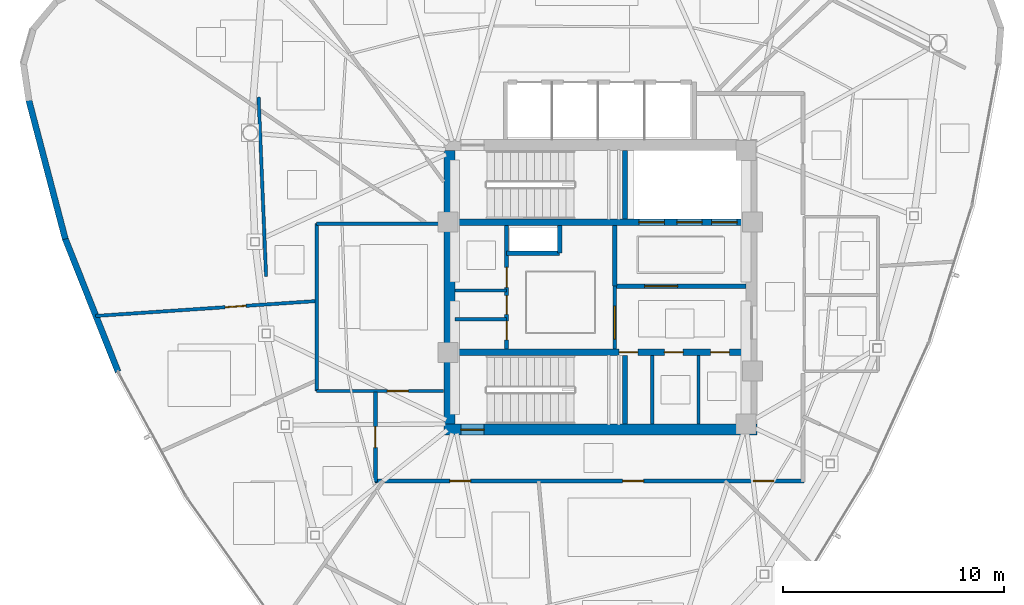
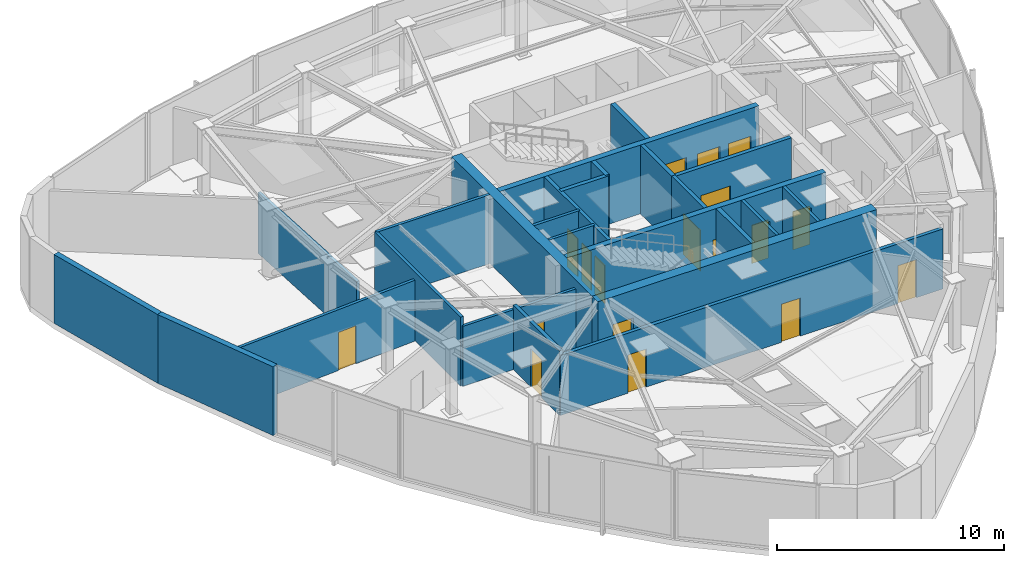
# One storey, part 8 of 13: 25 walls, 18 doors, 18 openings.
"""IFC4 building model written with IfcOpenShell, lengths in metres."""

import ifcopenshell
import ifcopenshell.guid

model = None  # the IFC model being written
_history = None  # IfcOwnerHistory: only IFC2X3 demands one
_inside = {}  # id of a spatial element -> (the spatial element, [elements in it])
_under = {}  # id of a project, library or spatial element -> (it, [spatial elements below it])
_declared = {}  # id of a project -> (the project, [libraries it declares])
_typed = {}  # id of a type object -> (the type object, [elements of that type])
_made_of = {}  # id of a material, layer set ... -> (it, [elements and type objects made of it])


def new_model(schema):
    """Start an empty IFC model of exactly this schema.

    Asked for "IFC4X3", IfcOpenShell would pick the latest addendum, in which some entities
    have other attributes; the version numbers below select the first issue.
    IFC2X3 requires an IfcOwnerHistory on every rooted entity: one is made here for all.
    """
    global model, _history
    if schema == "IFC4X3":
        model = ifcopenshell.file(schema_version=(4, 3, 0, 0))
    else:
        model = ifcopenshell.file(schema=schema)
    _inside.clear()
    _under.clear()
    _declared.clear()
    _typed.clear()
    _made_of.clear()
    _history = None
    if model.schema == "IFC2X3":
        org = make("IfcOrganization", Name="unknown")
        user = make(
            "IfcPersonAndOrganization",
            ThePerson=make("IfcPerson", FamilyName="unknown"),
            TheOrganization=org,
        )
        app = make(
            "IfcApplication",
            ApplicationDeveloper=org,
            Version="unknown",
            ApplicationFullName="unknown",
            ApplicationIdentifier="unknown",
        )
        _history = make(
            "IfcOwnerHistory",
            OwningUser=user,
            OwningApplication=app,
            ChangeAction="ADDED",
            CreationDate=0,
        )
    return model


def make(cls, **values):
    """One entity of the class cls with the attributes given. An attribute that is None is left unset."""
    return model.create_entity(
        cls, **{name: value for name, value in values.items() if value is not None}
    )


def rooted(cls, **values):
    """An entity with a GlobalId (a new one), such as an element, a storey or a relation."""
    return make(cls, GlobalId=ifcopenshell.guid.new(), OwnerHistory=_history, **values)


def si_unit(unit_type, name, prefix=None):
    """IfcSIUnit, for example si_unit("LENGTHUNIT", "METRE", prefix="MILLI")."""
    return make("IfcSIUnit", UnitType=unit_type, Prefix=prefix, Name=name)


def assignment(units):
    """IfcUnitAssignment: the units of a project."""
    return None if units is None else make("IfcUnitAssignment", Units=units)


def point(xyz):
    """IfcCartesianPoint."""
    return None if xyz is None else make("IfcCartesianPoint", Coordinates=xyz)


def direction(xyz):
    """IfcDirection."""
    return None if xyz is None else make("IfcDirection", DirectionRatios=xyz)


def frame(location, z_axis=None, x_axis=None):
    """IfcAxis2Placement3D, a coordinate frame: its origin and axes. An axis left out is left unset."""
    return make(
        "IfcAxis2Placement3D",
        Location=point(location),
        Axis=direction(z_axis),
        RefDirection=direction(x_axis),
    )


def frame_2d(location, x_axis=None):
    """IfcAxis2Placement2D, a coordinate frame in the plane: its origin and x axis."""
    return make(
        "IfcAxis2Placement2D", Location=point(location), RefDirection=direction(x_axis)
    )


def origin():
    """The frame at (0, 0, 0) with its axes left unset."""
    return frame((0.0, 0.0, 0.0))


def place(relative_to, where):
    """IfcLocalPlacement: puts the frame where relative to a parent placement (None: the world)."""
    return make(
        "IfcLocalPlacement", PlacementRelTo=relative_to, RelativePlacement=where
    )


def context(
    kind, dimensions, precision=None, world=None, true_north=None, identifier=None
):
    """IfcGeometricRepresentationContext, for example the 3D "Model" context."""
    return make(
        "IfcGeometricRepresentationContext",
        ContextIdentifier=identifier,
        ContextType=kind,
        CoordinateSpaceDimension=dimensions,
        Precision=precision,
        WorldCoordinateSystem=world,
        TrueNorth=true_north,
    )


def subcontext(parent, identifier, kind, view, scale=None):
    """IfcGeometricRepresentationSubContext, for example "Body" below "Model"."""
    return make(
        "IfcGeometricRepresentationSubContext",
        ContextIdentifier=identifier,
        ContextType=kind,
        ParentContext=parent,
        TargetScale=scale,
        TargetView=view,
    )


def project(units=None, contexts=None):
    """IfcProject with its units and contexts."""
    return rooted(
        "IfcProject",
        Name="project",
        RepresentationContexts=contexts,
        UnitsInContext=assignment(units),
    )


def spatial(cls, under=None, at=None, **own):
    """A site, building, storey or space (cls), placed at a placement, below another one or the project."""
    s = rooted(cls, ObjectPlacement=at, **own)
    if under is not None:
        _under.setdefault(under.id(), (under, []))[1].append(s)
    return s


def profile(cls, at=None, kind="AREA", **sizes):
    """A parametric profile (cls). Its sizes go by their IFC names, for example OverallWidth=200.0."""
    return make(cls, ProfileType=kind, Position=at, **sizes)


def rectangle(**sizes):
    """IfcRectangleProfileDef."""
    return profile("IfcRectangleProfileDef", **sizes)


def extrude(swept, where, along, depth):
    """IfcExtrudedAreaSolid: the profile swept, set in the frame where, extruded along a direction by depth."""
    return make(
        "IfcExtrudedAreaSolid",
        SweptArea=swept,
        Position=where,
        ExtrudedDirection=direction(along),
        Depth=depth,
    )


def shape(context_of_items, identifier, shape_type, items):
    """IfcShapeRepresentation: the items that make up one representation, for example the "Body"."""
    return make(
        "IfcShapeRepresentation",
        ContextOfItems=context_of_items,
        RepresentationIdentifier=identifier,
        RepresentationType=shape_type,
        Items=items,
    )


def material(Name=None, Category=None):
    """IfcMaterial."""
    return make("IfcMaterial", Name=Name, Category=Category)


def layer(
    of_material, thickness, ventilated=None, Name=None, Category=None, Priority=None
):
    """IfcMaterialLayer: one layer of a wall or slab, of a material (None: an air gap)."""
    return make(
        "IfcMaterialLayer",
        Material=of_material,
        LayerThickness=thickness,
        IsVentilated=ventilated,
        Name=Name,
        Category=Category,
        Priority=Priority,
    )


def layer_set(layers, Name=None):
    """IfcMaterialLayerSet."""
    return make("IfcMaterialLayerSet", MaterialLayers=layers, LayerSetName=Name)


def made_of(thing, what):
    """Note that an element or type object is made of a material, layer set ...; save() writes the relation."""
    if what is not None:
        _made_of.setdefault(what.id(), (what, []))[1].append(thing)
    return thing


def type_object(cls, material=None, **own):
    """A type object (cls), such as IfcWallType, which elements share."""
    return made_of(rooted(cls, **own), material)


def element(
    cls,
    number,
    at=None,
    inside=None,
    cuts=None,
    type_object=None,
    material=None,
    context=None,
    identifier="Body",
    shape_type=None,
    held_by="IfcProductDefinitionShape",
    body=None,
    shapes=None,
    **own,
):
    """One element of the class cls, such as IfcWall. Its Tag is "e" and its number.

    at: its placement. inside: the storey or other place that contains it. cuts: it is an
    opening in that element (IfcRelVoidsElement). A single representation is given by context,
    identifier, shape_type and body (its items); several are given by shapes. held_by: the class
    of the entity that holds the representations. save() writes the other relations.
    """
    e = rooted(cls, Tag="e%d" % number, ObjectPlacement=at, **own)
    if body is not None:
        shapes = [shape(context, identifier, shape_type, body)]
    if shapes is not None:
        e.Representation = make(held_by, Representations=shapes)
    if inside is not None:
        _inside.setdefault(inside.id(), (inside, []))[1].append(e)
    if cuts is not None:
        rooted(
            "IfcRelVoidsElement", RelatingBuildingElement=cuts, RelatedOpeningElement=e
        )
    if type_object is not None:
        _typed.setdefault(type_object.id(), (type_object, []))[1].append(e)
    return made_of(e, material)


def fill(opening, filler):
    """IfcRelFillsElement: the door or window that sits in an opening."""
    return rooted(
        "IfcRelFillsElement",
        RelatingOpeningElement=opening,
        RelatedBuildingElement=filler,
    )


def aggregate(whole, parts):
    """IfcRelAggregates: a whole, such as a stair, and the parts it consists of."""
    return rooted("IfcRelAggregates", RelatingObject=whole, RelatedObjects=parts)


def save(model, path):
    """Write the relations noted so far, then the file.

    IfcRelAggregates (storeys below a building ...), IfcRelContainedInSpatialStructure (elements
    in a storey), IfcRelDefinesByType, IfcRelAssociatesMaterial and IfcRelDeclares: one each for
    every whole, place, type object, material and project.
    """
    for whole, parts in _under.values():
        aggregate(whole, parts)
    for where, things in _inside.values():
        rooted(
            "IfcRelContainedInSpatialStructure",
            RelatedElements=things,
            RelatingStructure=where,
        )
    for kind, things in _typed.values():
        rooted("IfcRelDefinesByType", RelatedObjects=things, RelatingType=kind)
    for what, things in _made_of.values():
        rooted("IfcRelAssociatesMaterial", RelatedObjects=things, RelatingMaterial=what)
    for by, libraries in _declared.values():
        rooted("IfcRelDeclares", RelatingContext=by, RelatedDefinitions=libraries)
    model.write(path)


model = new_model("IFC4")

# Units and contexts
model_context = context("Model", 3, precision=1e-05, world=origin(), true_north=direction((0.0, 1.0)))
body_context = subcontext(model_context, "Body", "Model", "MODEL_VIEW")
ifc_project = project(units=[si_unit("LENGTHUNIT", "METRE"), si_unit("AREAUNIT", "SQUARE_METRE"), si_unit("VOLUMEUNIT", "CUBIC_METRE"), si_unit("PLANEANGLEUNIT", "RADIAN"), si_unit("MASSUNIT", "GRAM", prefix="KILO")], contexts=[model_context])

# Site, building, storey
site_placement = place(None, origin())
site = spatial("IfcSite", under=ifc_project, at=site_placement, CompositionType="ELEMENT")
building_placement = place(site_placement, origin())
building = spatial("IfcBuilding", under=site, at=building_placement, Name="Tavelor Broadcast Tower", CompositionType="ELEMENT")
storey_placement = place(building_placement, frame((0.0, 0.0, 305.5)))
storey = spatial("IfcBuildingStorey", under=building, at=storey_placement, Name="L73", CompositionType="ELEMENT", Elevation=305.5)

# Wall, opening, door
ifc_material_1 = material(Name="Concrete C50/60", Category="concrete")
ifc_layer_1 = layer(ifc_material_1, 0.5)
ifc_layer_set_1 = layer_set([ifc_layer_1], Name="Concrete C50/60")
wall_type_1 = type_object("IfcWallType", Name="Core Shear Wall 500 mm", PredefinedType="SHEAR", material=ifc_layer_set_1)
wall_1_placement = place(storey_placement, frame((42.89990234375, 38.550048828125, 0.0), z_axis=(0.0, 0.0, 1.0), x_axis=(1.0, 0.0, 0.0)))
wall_1 = element("IfcWall", 1, at=wall_1_placement, inside=storey, type_object=wall_type_1, Name="L73 Central Core Shear Wall S", PredefinedType="SHEAR", context=body_context, shape_type="SweptSolid", body=[
    extrude(rectangle(XDim=14.2001953125, YDim=0.5, at=frame_2d((7.10009765625, 0.0))), origin(), (0.0, 0.0, 1.0), 3.699951171875),
])
opening_1_placement = place(wall_1_placement, frame((0.780029296875, 0.0, 0.0)))
opening_1 = element("IfcOpeningElement", 2, at=opening_1_placement, cuts=wall_1, Name="Opening DR11", PredefinedType="OPENING", context=body_context, shape_type="SweptSolid", body=[
    extrude(rectangle(XDim=1.050048828125, YDim=2.199951171875, at=frame_2d((0.52490234375, 1.10009765625))), frame((0.0, 0.260009765625, 0.0), z_axis=(0.0, -1.0, 0.0), x_axis=(1.0, 0.0, 0.0)), (0.0, 0.0, 1.0), 0.52001953125),
])
ifc_material_2 = material(Name="Steel S355", Category="steel")
door_type_1 = type_object("IfcDoorType", Name="Stair Core Fire Escape Door 1050x2200", OperationType="NOTDEFINED", PredefinedType="DOOR", material=ifc_material_2)
door_1_placement = place(opening_1_placement, origin())
door_1 = element("IfcDoor", 3, at=door_1_placement, inside=storey, type_object=door_type_1, Name="L73 Stair ST2 Protected Exit Door", OperationType="SINGLE_SWING_RIGHT", OverallHeight=2.199951171875, OverallWidth=1.050048828125, PredefinedType="DOOR", context=body_context, shape_type="SweptSolid", body=[
    extrude(rectangle(XDim=1.050048828125, YDim=2.199951171875, at=frame_2d((0.52490234375, 1.10009765625))), frame((0.0, 0.02490234375, 0.0), z_axis=(0.0, -1.0, 0.0), x_axis=(1.0, 0.0, 0.0)), (0.0, 0.0, 1.0), 0.050048828125),
])
fill(opening_1, door_1)

# Wall
wall_2_placement = place(storey_placement, frame((43.14990234375, 38.800048828125, 0.0), z_axis=(0.0, 0.0, 1.0), x_axis=(0.0, 1.0, 0.0)))
element("IfcWall", 4, at=wall_2_placement, inside=storey, type_object=wall_type_1, Name="L73 Central Core Shear Wall W", PredefinedType="SHEAR", context=body_context, shape_type="SweptSolid", body=[
    extrude(rectangle(XDim=12.39990234375, YDim=0.5, at=frame_2d((6.199951171875, 0.0))), origin(), (0.0, 0.0, 1.0), 3.699951171875),
])

# Wall, openings, doors
ifc_layer_2 = layer(ifc_material_1, 0.300048828125)
ifc_layer_set_2 = layer_set([ifc_layer_2], Name="Concrete C50/60")
wall_type_2 = type_object("IfcWallType", Name="Core Spine Shear Wall 300 mm C50", PredefinedType="SHEAR", material=ifc_layer_set_2)
wall_3_placement = place(storey_placement, frame((43.39990234375, 47.949951171875, 0.0), z_axis=(0.0, 0.0, 1.0), x_axis=(1.0, 0.0, 0.0)))
wall_3 = element("IfcWall", 5, at=wall_3_placement, inside=storey, type_object=wall_type_2, Name="L73 Central Core Shear Wall SP1", PredefinedType="SHEAR", context=body_context, shape_type="SweptSolid", body=[
    extrude(rectangle(XDim=13.2001953125, YDim=0.300048828125, at=frame_2d((6.60009765625, 0.0))), origin(), (0.0, 0.0, 1.0), 3.699951171875),
])
opening_2_placement = place(wall_3_placement, frame((8.344970703125, 0.0, 0.0)))
opening_2 = element("IfcOpeningElement", 6, at=opening_2_placement, cuts=wall_3, Name="Opening LD02", PredefinedType="OPENING", context=body_context, shape_type="SweptSolid", body=[
    extrude(rectangle(XDim=1.14990234375, YDim=2.199951171875, at=frame_2d((0.574951171875, 1.10009765625))), frame((0.0, 0.16015625, 0.0), z_axis=(0.0, -1.0, 0.0), x_axis=(1.0, 0.0, 0.0)), (0.0, 0.0, 1.0), 0.320068359375),
])
opening_3_placement = place(wall_3_placement, frame((10.06494140625, 0.0, 0.0)))
opening_3 = element("IfcOpeningElement", 7, at=opening_3_placement, cuts=wall_3, Name="Opening LD02", PredefinedType="OPENING", context=body_context, shape_type="SweptSolid", body=[
    extrude(rectangle(XDim=1.14990234375, YDim=2.199951171875, at=frame_2d((0.574951171875, 1.10009765625))), frame((0.0, 0.16015625, 0.0), z_axis=(0.0, -1.0, 0.0), x_axis=(1.0, 0.0, 0.0)), (0.0, 0.0, 1.0), 0.320068359375),
])
opening_4_placement = place(wall_3_placement, frame((11.64501953125, 0.0, 0.0)))
opening_4 = element("IfcOpeningElement", 8, at=opening_4_placement, cuts=wall_3, Name="Opening LD03", PredefinedType="OPENING", context=body_context, shape_type="SweptSolid", body=[
    extrude(rectangle(XDim=1.14990234375, YDim=2.199951171875, at=frame_2d((0.574951171875, 1.10009765625))), frame((0.0, 0.16015625, 0.0), z_axis=(0.0, -1.0, 0.0), x_axis=(1.0, 0.0, 0.0)), (0.0, 0.0, 1.0), 0.320068359375),
])
ifc_material_3 = material(Name="Reinforced Brushed Stainless Steel", Category="concrete")
door_type_2 = type_object("IfcDoorType", Name="Broadcast Goods Lift Sliding Landing Door 1250x2200", OperationType="NOTDEFINED", PredefinedType="DOOR", material=ifc_material_3)
door_2_placement = place(opening_4_placement, origin())
door_2 = element("IfcDoor", 9, at=door_2_placement, inside=storey, type_object=door_type_2, Name="L73 Lift SVL1 Sliding Landing Door", OperationType="SLIDING_TO_LEFT", OverallHeight=2.199951171875, OverallWidth=1.14990234375, PredefinedType="DOOR", context=body_context, shape_type="SweptSolid", body=[
    extrude(rectangle(XDim=1.14990234375, YDim=2.199951171875, at=frame_2d((0.574951171875, 1.10009765625))), frame((0.0, 0.02490234375, 0.0), z_axis=(0.0, -1.0, 0.0), x_axis=(1.0, 0.0, 0.0)), (0.0, 0.0, 1.0), 0.050048828125),
])
fill(opening_4, door_2)
ifc_material_4 = material(Name="Fire-Rated Stainless Steel", Category="steel")
door_type_3 = type_object("IfcDoorType", Name="Firefighting Lift Sliding Landing Door 1200x2200", OperationType="NOTDEFINED", PredefinedType="DOOR", material=ifc_material_4)
door_3_placement = place(opening_2_placement, origin())
door_3 = element("IfcDoor", 10, at=door_3_placement, inside=storey, type_object=door_type_3, Name="L73 Lift FFL1 Sliding Landing Door", OperationType="SLIDING_TO_LEFT", OverallHeight=2.199951171875, OverallWidth=1.14990234375, PredefinedType="DOOR", context=body_context, shape_type="SweptSolid", body=[
    extrude(rectangle(XDim=1.14990234375, YDim=2.199951171875, at=frame_2d((0.574951171875, 1.10009765625))), frame((0.0, 0.02490234375, 0.0), z_axis=(0.0, -1.0, 0.0), x_axis=(1.0, 0.0, 0.0)), (0.0, 0.0, 1.0), 0.050048828125),
])
fill(opening_2, door_3)
door_4_placement = place(opening_3_placement, origin())
door_4 = element("IfcDoor", 11, at=door_4_placement, inside=storey, type_object=door_type_3, Name="L73 Lift FFL2 Sliding Landing Door", OperationType="SLIDING_TO_LEFT", OverallHeight=2.199951171875, OverallWidth=1.14990234375, PredefinedType="DOOR", context=body_context, shape_type="SweptSolid", body=[
    extrude(rectangle(XDim=1.14990234375, YDim=2.199951171875, at=frame_2d((0.574951171875, 1.10009765625))), frame((0.0, 0.02490234375, 0.0), z_axis=(0.0, -1.0, 0.0), x_axis=(1.0, 0.0, 0.0)), (0.0, 0.0, 1.0), 0.050048828125),
])
fill(opening_3, door_4)

wall_4_placement = place(storey_placement, frame((43.39990234375, 42.050048828125, 0.0), z_axis=(0.0, 0.0, 1.0), x_axis=(1.0, 0.0, 0.0)))
wall_4 = element("IfcWall", 12, at=wall_4_placement, inside=storey, type_object=wall_type_2, Name="L73 Central Core Shear Wall SP2", PredefinedType="SHEAR", context=body_context, shape_type="SweptSolid", body=[
    extrude(rectangle(XDim=13.2001953125, YDim=0.300048828125, at=frame_2d((6.60009765625, 0.0))), origin(), (0.0, 0.0, 1.0), 3.699951171875),
])
opening_5_placement = place(wall_4_placement, frame((7.449951171875, 0.0, 0.0)))
opening_5 = element("IfcOpeningElement", 13, at=opening_5_placement, cuts=wall_4, Name="Opening DR36", PredefinedType="OPENING", context=body_context, shape_type="SweptSolid", body=[
    extrude(rectangle(XDim=0.85009765625, YDim=2.050048828125, at=frame_2d((0.425048828125, 1.02490234375))), frame((0.0, 0.16015625, 0.0), z_axis=(0.0, -1.0, 0.0), x_axis=(1.0, 0.0, 0.0)), (0.0, 0.0, 1.0), 0.320068359375),
])
opening_6_placement = place(wall_4_placement, frame((9.5, 0.0, 0.0)))
opening_6 = element("IfcOpeningElement", 14, at=opening_6_placement, cuts=wall_4, Name="Opening DR36", PredefinedType="OPENING", context=body_context, shape_type="SweptSolid", body=[
    extrude(rectangle(XDim=0.85009765625, YDim=2.050048828125, at=frame_2d((0.425048828125, 1.02490234375))), frame((0.0, 0.16015625, 0.0), z_axis=(0.0, -1.0, 0.0), x_axis=(1.0, 0.0, 0.0)), (0.0, 0.0, 1.0), 0.320068359375),
])
opening_7_placement = place(wall_4_placement, frame((11.60009765625, 0.0, 0.0)))
opening_7 = element("IfcOpeningElement", 15, at=opening_7_placement, cuts=wall_4, Name="Opening DR36", PredefinedType="OPENING", context=body_context, shape_type="SweptSolid", body=[
    extrude(rectangle(XDim=0.85009765625, YDim=2.050048828125, at=frame_2d((0.425048828125, 1.02490234375))), frame((0.0, 0.16015625, 0.0), z_axis=(0.0, -1.0, 0.0), x_axis=(1.0, 0.0, 0.0)), (0.0, 0.0, 1.0), 0.320068359375),
])
door_type_4 = type_object("IfcDoorType", Name="Service Room Fire Door 850x2050", OperationType="NOTDEFINED", PredefinedType="DOOR", material=ifc_material_2)
door_5_placement = place(opening_5_placement, origin())
door_5 = element("IfcDoor", 16, at=door_5_placement, inside=storey, type_object=door_type_4, Name="L73 Reclaimed South Core Pod 1 Door", OperationType="SINGLE_SWING_RIGHT", OverallHeight=2.050048828125, OverallWidth=0.85009765625, PredefinedType="DOOR", context=body_context, shape_type="SweptSolid", body=[
    extrude(rectangle(XDim=0.85009765625, YDim=2.050048828125, at=frame_2d((0.425048828125, 1.02490234375))), frame((0.0, 0.02490234375, 0.0), z_axis=(0.0, -1.0, 0.0), x_axis=(1.0, 0.0, 0.0)), (0.0, 0.0, 1.0), 0.050048828125),
])
fill(opening_5, door_5)
door_6_placement = place(opening_6_placement, origin())
door_6 = element("IfcDoor", 17, at=door_6_placement, inside=storey, type_object=door_type_4, Name="L73 Reclaimed South Core Pod 2 Door", OperationType="SINGLE_SWING_LEFT", OverallHeight=2.050048828125, OverallWidth=0.85009765625, PredefinedType="DOOR", context=body_context, shape_type="SweptSolid", body=[
    extrude(rectangle(XDim=0.85009765625, YDim=2.050048828125, at=frame_2d((0.425048828125, 1.02490234375))), frame((0.0, 0.02490234375, 0.0), z_axis=(0.0, -1.0, 0.0), x_axis=(1.0, 0.0, 0.0)), (0.0, 0.0, 1.0), 0.050048828125),
])
fill(opening_6, door_6)
door_7_placement = place(opening_7_placement, origin())
door_7 = element("IfcDoor", 18, at=door_7_placement, inside=storey, type_object=door_type_4, Name="L73 Reclaimed South Core Pod 3 Door", OperationType="SINGLE_SWING_RIGHT", OverallHeight=2.050048828125, OverallWidth=0.85009765625, PredefinedType="DOOR", context=body_context, shape_type="SweptSolid", body=[
    extrude(rectangle(XDim=0.85009765625, YDim=2.050048828125, at=frame_2d((0.425048828125, 1.02490234375))), frame((0.0, 0.02490234375, 0.0), z_axis=(0.0, -1.0, 0.0), x_axis=(1.0, 0.0, 0.0)), (0.0, 0.0, 1.0), 0.050048828125),
])
fill(opening_7, door_7)

# Wall, opening, door
ifc_material_5 = material(Name="Calcium Silicate Fire Board 180 mm", Category="gypsum")
ifc_layer_3 = layer(ifc_material_5, 0.179931640625)
ifc_layer_set_3 = layer_set([ifc_layer_3], Name="Calcium Silicate Fire Board 180 mm")
wall_type_3 = type_object("IfcWallType", Name="Fire-Rated Corridor Partition Wall 180 mm", PredefinedType="PARTITIONING", material=ifc_layer_set_3)
wall_5_placement = place(storey_placement, frame((50.64990234375, 42.199951171875, 0.0), z_axis=(0.0, 0.0, 1.0), x_axis=(0.0, 1.0, 0.0)))
wall_5 = element("IfcWall", 19, at=wall_5_placement, inside=storey, type_object=wall_type_3, Name="L73 Core Lobby Zoning Wall", PredefinedType="PARTITIONING", context=body_context, shape_type="SweptSolid", body=[
    extrude(rectangle(XDim=2.85009765625, YDim=0.179931640625, at=frame_2d((1.425048828125, 0.0))), origin(), (0.0, 0.0, 1.0), 3.699951171875),
])
opening_8_placement = place(wall_5_placement, frame((0.449951171875, 0.0, 0.0)))
opening_8 = element("IfcOpeningElement", 20, at=opening_8_placement, cuts=wall_5, Name="Opening DR14", PredefinedType="OPENING", context=body_context, shape_type="SweptSolid", body=[
    extrude(rectangle(XDim=1.5, YDim=2.199951171875, at=frame_2d((0.75, 1.10009765625))), frame((0.0, 0.10009765625, 0.0), z_axis=(0.0, -1.0, 0.0), x_axis=(1.0, 0.0, 0.0)), (0.0, 0.0, 1.0), 0.199951171875),
])
door_type_5 = type_object("IfcDoorType", Name="Firefighting Lobby Double Fire Door 1500x2200", OperationType="NOTDEFINED", PredefinedType="DOOR", material=ifc_material_2)
door_8_placement = place(opening_8_placement, origin())
door_8 = element("IfcDoor", 21, at=door_8_placement, inside=storey, type_object=door_type_5, Name="L73 Core West Lobby Double Fire Door", OperationType="SINGLE_SWING_LEFT", OverallHeight=2.199951171875, OverallWidth=1.5, PredefinedType="DOOR", context=body_context, shape_type="SweptSolid", body=[
    extrude(rectangle(XDim=1.5, YDim=2.199951171875, at=frame_2d((0.75, 1.10009765625))), frame((0.0, 0.02490234375, 0.0), z_axis=(0.0, -1.0, 0.0), x_axis=(1.0, 0.0, 0.0)), (0.0, 0.0, 1.0), 0.050048828125),
])
fill(opening_8, door_8)

# Wall, openings, doors
wall_6_placement = place(storey_placement, frame((45.75, 42.199951171875, 0.0), z_axis=(0.0, 0.0, 1.0), x_axis=(0.0, 1.0, 0.0)))
wall_6 = element("IfcWall", 22, at=wall_6_placement, inside=storey, type_object=wall_type_3, Name="L73 Core West Service East Wall", PredefinedType="PARTITIONING", context=body_context, shape_type="SweptSolid", body=[
    extrude(rectangle(XDim=5.60009765625, YDim=0.179931640625, at=frame_2d((2.800048828125, 0.0))), origin(), (0.0, 0.0, 1.0), 3.699951171875),
])
opening_9_placement = place(wall_6_placement, frame((0.419921875, 0.0, 0.0)))
opening_9 = element("IfcOpeningElement", 23, at=opening_9_placement, cuts=wall_6, Name="Opening DR36", PredefinedType="OPENING", context=body_context, shape_type="SweptSolid", body=[
    extrude(rectangle(XDim=0.85009765625, YDim=2.050048828125, at=frame_2d((0.425048828125, 1.02490234375))), frame((0.0, 0.10009765625, 0.0), z_axis=(0.0, -1.0, 0.0), x_axis=(1.0, 0.0, 0.0)), (0.0, 0.0, 1.0), 0.199951171875),
])
opening_10_placement = place(wall_6_placement, frame((1.570068359375, 0.0, 0.0)))
opening_10 = element("IfcOpeningElement", 24, at=opening_10_placement, cuts=wall_6, Name="Opening DR36", PredefinedType="OPENING", context=body_context, shape_type="SweptSolid", body=[
    extrude(rectangle(XDim=0.85009765625, YDim=2.050048828125, at=frame_2d((0.425048828125, 1.02490234375))), frame((0.0, 0.10009765625, 0.0), z_axis=(0.0, -1.0, 0.0), x_axis=(1.0, 0.0, 0.0)), (0.0, 0.0, 1.0), 0.199951171875),
])
opening_11_placement = place(wall_6_placement, frame((2.800048828125, 0.0, 0.0)))
opening_11 = element("IfcOpeningElement", 25, at=opening_11_placement, cuts=wall_6, Name="Opening DR32", PredefinedType="OPENING", context=body_context, shape_type="SweptSolid", body=[
    extrude(rectangle(XDim=0.89990234375, YDim=2.050048828125, at=frame_2d((0.449951171875, 1.02490234375))), frame((0.0, 0.10009765625, 0.0), z_axis=(0.0, -1.0, 0.0), x_axis=(1.0, 0.0, 0.0)), (0.0, 0.0, 1.0), 0.199951171875),
])
ifc_material_6 = material(Name="Timber Solid Core Hardwood", Category="wood")
door_type_6 = type_object("IfcDoorType", Name="Accessible Washroom Door 900x2050", OperationType="NOTDEFINED", PredefinedType="DOOR", material=ifc_material_6)
door_9_placement = place(opening_11_placement, origin())
door_9 = element("IfcDoor", 26, at=door_9_placement, inside=storey, type_object=door_type_6, Name="L73 Core Accessible WC Door", OperationType="SINGLE_SWING_LEFT", OverallHeight=2.050048828125, OverallWidth=0.89990234375, PredefinedType="DOOR", context=body_context, shape_type="SweptSolid", body=[
    extrude(rectangle(XDim=0.89990234375, YDim=2.050048828125, at=frame_2d((0.449951171875, 1.02490234375))), frame((0.0, 0.02490234375, 0.0), z_axis=(0.0, -1.0, 0.0), x_axis=(1.0, 0.0, 0.0)), (0.0, 0.0, 1.0), 0.050048828125),
])
fill(opening_11, door_9)
door_10_placement = place(opening_9_placement, origin())
door_10 = element("IfcDoor", 27, at=door_10_placement, inside=storey, type_object=door_type_4, Name="L73 Core Medical Room Door", OperationType="SINGLE_SWING_LEFT", OverallHeight=2.050048828125, OverallWidth=0.85009765625, PredefinedType="DOOR", context=body_context, shape_type="SweptSolid", body=[
    extrude(rectangle(XDim=0.85009765625, YDim=2.050048828125, at=frame_2d((0.425048828125, 1.02490234375))), frame((0.0, 0.02490234375, 0.0), z_axis=(0.0, -1.0, 0.0), x_axis=(1.0, 0.0, 0.0)), (0.0, 0.0, 1.0), 0.050048828125),
])
fill(opening_9, door_10)
door_11_placement = place(opening_10_placement, origin())
door_11 = element("IfcDoor", 28, at=door_11_placement, inside=storey, type_object=door_type_4, Name="L73 Core Copy Room Door", OperationType="SINGLE_SWING_RIGHT", OverallHeight=2.050048828125, OverallWidth=0.85009765625, PredefinedType="DOOR", context=body_context, shape_type="SweptSolid", body=[
    extrude(rectangle(XDim=0.85009765625, YDim=2.050048828125, at=frame_2d((0.425048828125, 1.02490234375))), frame((0.0, 0.02490234375, 0.0), z_axis=(0.0, -1.0, 0.0), x_axis=(1.0, 0.0, 0.0)), (0.0, 0.0, 1.0), 0.050048828125),
])
fill(opening_10, door_11)

wall_7_placement = place(storey_placement, frame((59.22998046875, 36.219970703125, 0.0), z_axis=(0.0, 0.0, 1.0), x_axis=(-1.0, 0.0, 0.0)))
wall_7 = element("IfcWall", 29, at=wall_7_placement, inside=storey, type_object=wall_type_3, Name="L73 Corridor Compartment Wall 04", PredefinedType="PARTITIONING", context=body_context, shape_type="SweptSolid", body=[
    extrude(rectangle(XDim=19.47998046875, YDim=0.179931640625, at=frame_2d((9.739990234375, 0.0))), origin(), (0.0, 0.0, 1.0), 3.22509765625),
])
opening_12_placement = place(wall_7_placement, frame((1.3623046875, 0.0, 0.0)))
opening_12 = element("IfcOpeningElement", 30, at=opening_12_placement, cuts=wall_7, Name="Opening DR18", PredefinedType="OPENING", context=body_context, shape_type="SweptSolid", body=[
    extrude(rectangle(XDim=0.949951171875, YDim=2.050048828125, at=frame_2d((0.47509765625, 1.02490234375))), frame((0.0, 0.10009765625, 0.0), z_axis=(0.0, -1.0, 0.0), x_axis=(1.0, 0.0, 0.0)), (0.0, 0.0, 1.0), 0.199951171875),
])
opening_13_placement = place(wall_7_placement, frame((7.275634765625, 0.0, 0.0)))
opening_13 = element("IfcOpeningElement", 31, at=opening_13_placement, cuts=wall_7, Name="Opening DR18", PredefinedType="OPENING", context=body_context, shape_type="SweptSolid", body=[
    extrude(rectangle(XDim=0.949951171875, YDim=2.050048828125, at=frame_2d((0.47509765625, 1.02490234375))), frame((0.0, 0.10009765625, 0.0), z_axis=(0.0, -1.0, 0.0), x_axis=(1.0, 0.0, 0.0)), (0.0, 0.0, 1.0), 0.199951171875),
])
opening_14_placement = place(wall_7_placement, frame((15.106689453125, 0.0, 0.0)))
opening_14 = element("IfcOpeningElement", 32, at=opening_14_placement, cuts=wall_7, Name="Opening DR18", PredefinedType="OPENING", context=body_context, shape_type="SweptSolid", body=[
    extrude(rectangle(XDim=0.949951171875, YDim=2.050048828125, at=frame_2d((0.47509765625, 1.02490234375))), frame((0.0, 0.10009765625, 0.0), z_axis=(0.0, -1.0, 0.0), x_axis=(1.0, 0.0, 0.0)), (0.0, 0.0, 1.0), 0.199951171875),
])
door_type_7 = type_object("IfcDoorType", Name="Corridor Rated Compartment Door 950x2050", OperationType="NOTDEFINED", PredefinedType="DOOR", material=ifc_material_6)
door_12_placement = place(opening_12_placement, origin())
door_12 = element("IfcDoor", 33, at=door_12_placement, inside=storey, type_object=door_type_7, Name="L73 Audio Dubbing Studio Door R0", OperationType="SINGLE_SWING_RIGHT", OverallHeight=2.050048828125, OverallWidth=0.949951171875, PredefinedType="DOOR", context=body_context, shape_type="SweptSolid", body=[
    extrude(rectangle(XDim=0.949951171875, YDim=2.050048828125, at=frame_2d((0.47509765625, 1.02490234375))), frame((0.0, 0.02490234375, 0.0), z_axis=(0.0, -1.0, 0.0), x_axis=(1.0, 0.0, 0.0)), (0.0, 0.0, 1.0), 0.050048828125),
])
fill(opening_12, door_12)
door_13_placement = place(opening_13_placement, origin())
door_13 = element("IfcDoor", 34, at=door_13_placement, inside=storey, type_object=door_type_7, Name="L73 Podcast Recording Studio Door R1", OperationType="SINGLE_SWING_LEFT", OverallHeight=2.050048828125, OverallWidth=0.949951171875, PredefinedType="DOOR", context=body_context, shape_type="SweptSolid", body=[
    extrude(rectangle(XDim=0.949951171875, YDim=2.050048828125, at=frame_2d((0.47509765625, 1.02490234375))), frame((0.0, 0.02490234375, 0.0), z_axis=(0.0, -1.0, 0.0), x_axis=(1.0, 0.0, 0.0)), (0.0, 0.0, 1.0), 0.050048828125),
])
fill(opening_13, door_13)
door_14_placement = place(opening_14_placement, origin())
door_14 = element("IfcDoor", 35, at=door_14_placement, inside=storey, type_object=door_type_7, Name="L73 Talent Script Den Door R11", OperationType="SINGLE_SWING_RIGHT", OverallHeight=2.050048828125, OverallWidth=0.949951171875, PredefinedType="DOOR", context=body_context, shape_type="SweptSolid", body=[
    extrude(rectangle(XDim=0.949951171875, YDim=2.050048828125, at=frame_2d((0.47509765625, 1.02490234375))), frame((0.0, 0.02490234375, 0.0), z_axis=(0.0, -1.0, 0.0), x_axis=(1.0, 0.0, 0.0)), (0.0, 0.0, 1.0), 0.050048828125),
])
fill(opening_14, door_14)

# Wall, opening, door
wall_8_placement = place(storey_placement, frame((39.800048828125, 36.169921875, 0.0), z_axis=(0.0, 0.0, 1.0), x_axis=(0.0, 1.0, 0.0)))
wall_8 = element("IfcWall", 36, at=wall_8_placement, inside=storey, type_object=wall_type_3, Name="L73 Corridor Compartment Wall 05", PredefinedType="PARTITIONING", context=body_context, shape_type="SweptSolid", body=[
    extrude(rectangle(XDim=4.080078125, YDim=0.179931640625, at=frame_2d((2.0400390625, 0.0))), origin(), (0.0, 0.0, 1.0), 3.47509765625),
])
opening_15_placement = place(wall_8_placement, frame((1.56494140625, 0.0, 0.0)))
opening_15 = element("IfcOpeningElement", 37, at=opening_15_placement, cuts=wall_8, Name="Opening DR18", PredefinedType="OPENING", context=body_context, shape_type="SweptSolid", body=[
    extrude(rectangle(XDim=0.949951171875, YDim=2.050048828125, at=frame_2d((0.47509765625, 1.02490234375))), frame((0.0, 0.10009765625, 0.0), z_axis=(0.0, -1.0, 0.0), x_axis=(1.0, 0.0, 0.0)), (0.0, 0.0, 1.0), 0.199951171875),
])
door_15_placement = place(opening_15_placement, origin())
door_15 = element("IfcDoor", 38, at=door_15_placement, inside=storey, type_object=door_type_7, Name="L73 Sound Foley Studio Door R3", OperationType="SINGLE_SWING_LEFT", OverallHeight=2.050048828125, OverallWidth=0.949951171875, PredefinedType="DOOR", context=body_context, shape_type="SweptSolid", body=[
    extrude(rectangle(XDim=0.949951171875, YDim=2.050048828125, at=frame_2d((0.47509765625, 1.02490234375))), frame((0.0, 0.02490234375, 0.0), z_axis=(0.0, -1.0, 0.0), x_axis=(1.0, 0.0, 0.0)), (0.0, 0.0, 1.0), 0.050048828125),
])
fill(opening_15, door_15)

# Walls
ifc_material_7 = material(Name="Precast Concrete C40/50", Category="concrete")
ifc_layer_4 = layer(ifc_material_7, 0.280029296875)
ifc_layer_set_4 = layer_set([ifc_layer_4], Name="Precast Concrete C40/50")
wall_type_4 = type_object("IfcWallType", Name="Insulated Precast Terracotta Facade Wall 280 mm", PredefinedType="STANDARD", material=ifc_layer_set_4)
wall_9_placement = place(storey_placement, frame((24.09130859375, 53.4833984375, 0.0), z_axis=(0.0, 0.0, 1.0), x_axis=(0.254146301355, -0.967165785948, 0.0)))
element("IfcWall", 39, at=wall_9_placement, inside=storey, type_object=wall_type_4, Name="L73 Rounded Corner Structural Cladding Pier 05", PredefinedType="STANDARD", context=body_context, shape_type="SweptSolid", body=[
    extrude(rectangle(XDim=6.51123046875, YDim=0.280029296875, at=frame_2d((3.255615234375, 0.0))), origin(), (0.0, 0.0, 1.0), 3.699951171875),
])
wall_10_placement = place(storey_placement, frame((25.73681640625, 47.214599609375, 0.0), z_axis=(0.0, 0.0, 1.0), x_axis=(0.36933021382, -0.929298226168, 0.0)))
element("IfcWall", 40, at=wall_10_placement, inside=storey, type_object=wall_type_4, Name="L73 Rounded Corner Structural Cladding Pier 06", PredefinedType="STANDARD", context=body_context, shape_type="SweptSolid", body=[
    extrude(rectangle(XDim=6.499267578125, YDim=0.280029296875, at=frame_2d((3.24951171875, 0.0))), origin(), (0.0, 0.0, 1.0), 3.699951171875),
])
ifc_material_8 = material(Name="Gypsum Acoustic Plasterboard 150 mm", Category="gypsum")
ifc_layer_5 = layer(ifc_material_8, 0.14990234375)
ifc_layer_set_5 = layer_set([ifc_layer_5], Name="Gypsum Acoustic Plasterboard 150 mm")
wall_type_5 = type_object("IfcWallType", Name="Interior Acoustic Partition Wall 150 mm", PredefinedType="PARTITIONING", material=ifc_layer_set_5)
for number, where, z_axis, x_axis, name in (
    (41, (52.35009765625, 38.800048828125, 0.0), (0.0, 0.0, 1.0), (0.0, 1.0, 0.0), "L73 Reclaimed South Core Divider 1"),
    (42, (54.449951171875, 38.800048828125, 0.0), (0.0, 0.0, 1.0), (0.0, 1.0, 0.0), "L73 Reclaimed South Core Divider 2"),
):
    element("IfcWall", number, at=place(storey_placement, frame(where, z_axis=z_axis, x_axis=x_axis)), inside=storey, type_object=wall_type_5, Name=name, PredefinedType="PARTITIONING", context=body_context, shape_type="SweptSolid", body=[
        extrude(rectangle(XDim=3.099853515625, YDim=0.14990234375, at=frame_2d((1.5498046875, 0.0))), origin(), (0.0, 0.0, 1.0), 3.699951171875),
    ])
for number, where, z_axis, x_axis, name in (
    (43, (43.39990234375, 43.550048828125, 0.0), (0.0, 0.0, 1.0), (1.0, 0.0, 0.0), "L73 Core Split Wall B1"),
    (44, (43.39990234375, 44.85009765625, 0.0), (0.0, 0.0, 1.0), (1.0, 0.0, 0.0), "L73 Core Split Wall B2"),
):
    element("IfcWall", number, at=place(storey_placement, frame(where, z_axis=z_axis, x_axis=x_axis)), inside=storey, type_object=wall_type_5, Name=name, PredefinedType="PARTITIONING", context=body_context, shape_type="SweptSolid", body=[
        extrude(rectangle(XDim=2.35009765625, YDim=0.14990234375, at=frame_2d((1.175048828125, 0.0))), origin(), (0.0, 0.0, 1.0), 3.699951171875),
    ])
wall_11_placement = place(storey_placement, frame((34.50732421875, 53.61279296875, 0.0), z_axis=(0.0, 0.0, 1.0), x_axis=(0.041875090182, -0.999122853718, 0.0)))
element("IfcWall", 45, at=wall_11_placement, inside=storey, type_object=wall_type_5, Name="L73 Corner Tube Brace Furring Wall 1", PredefinedType="PARTITIONING", context=body_context, shape_type="SweptSolid", body=[
    extrude(rectangle(XDim=8.138916015625, YDim=0.14990234375, at=frame_2d((4.0693359375, 0.0))), origin(), (0.0, 0.0, 1.0), 3.27490234375),
])

# Wall, opening, door
wall_12_placement = place(storey_placement, frame((37.139892578125, 40.300048828125, 0.0), z_axis=(0.0, 0.0, 1.0), x_axis=(1.0, 0.0, 0.0)))
wall_12 = element("IfcWall", 46, at=wall_12_placement, inside=storey, type_object=wall_type_5, Name="L73 Reclaimed Shaft Pantry South Wall", PredefinedType="PARTITIONING", context=body_context, shape_type="SweptSolid", body=[
    extrude(rectangle(XDim=5.760009765625, YDim=0.14990234375, at=frame_2d((2.8798828125, 0.0))), origin(), (0.0, 0.0, 1.0), 3.22509765625),
])
opening_16_placement = place(wall_12_placement, frame((3.2099609375, 0.0, 0.0)))
opening_16 = element("IfcOpeningElement", 47, at=opening_16_placement, cuts=wall_12, Name="Opening DR18", PredefinedType="OPENING", context=body_context, shape_type="SweptSolid", body=[
    extrude(rectangle(XDim=0.949951171875, YDim=2.050048828125, at=frame_2d((0.47509765625, 1.02490234375))), frame((0.0, 0.0849609375, 0.0), z_axis=(0.0, -1.0, 0.0), x_axis=(1.0, 0.0, 0.0)), (0.0, 0.0, 1.0), 0.169921875),
])
door_16_placement = place(opening_16_placement, origin())
door_16 = element("IfcDoor", 48, at=door_16_placement, inside=storey, type_object=door_type_7, Name="L73 Broadcast IT Patch and Pantry Door", OperationType="SINGLE_SWING_LEFT", OverallHeight=2.050048828125, OverallWidth=0.949951171875, PredefinedType="DOOR", context=body_context, shape_type="SweptSolid", body=[
    extrude(rectangle(XDim=0.949951171875, YDim=2.050048828125, at=frame_2d((0.47509765625, 1.02490234375))), frame((0.0, 0.02490234375, 0.0), z_axis=(0.0, -1.0, 0.0), x_axis=(1.0, 0.0, 0.0)), (0.0, 0.0, 1.0), 0.050048828125),
])
fill(opening_16, door_16)

# Walls
wall_13_placement = place(storey_placement, frame((37.139892578125, 40.300048828125, 0.0), z_axis=(0.0, 0.0, 1.0), x_axis=(0.0, 1.0, 0.0)))
element("IfcWall", 49, at=wall_13_placement, inside=storey, type_object=wall_type_5, Name="L73 Reclaimed Shaft Pantry West Wall", PredefinedType="PARTITIONING", context=body_context, shape_type="SweptSolid", body=[
    extrude(rectangle(XDim=7.579833984375, YDim=0.14990234375, at=frame_2d((3.7900390625, 0.0))), origin(), (0.0, 0.0, 1.0), 3.699951171875),
])
wall_14_placement = place(storey_placement, frame((37.139892578125, 47.8798828125, 0.0), z_axis=(0.0, 0.0, 1.0), x_axis=(1.0, 0.0, 0.0)))
element("IfcWall", 50, at=wall_14_placement, inside=storey, type_object=wall_type_5, Name="L73 Reclaimed Shaft Pantry North Wall", PredefinedType="PARTITIONING", context=body_context, shape_type="SweptSolid", body=[
    extrude(rectangle(XDim=5.760009765625, YDim=0.14990234375, at=frame_2d((2.8798828125, 0.0))), origin(), (0.0, 0.0, 1.0), 3.699951171875),
])

# Wall, opening, door
wall_15_placement = place(storey_placement, frame((37.080078125, 44.370849609375, 0.0), z_axis=(0.0, 0.0, 1.0), x_axis=(-0.997729387865, -0.067350342172, 0.0)))
wall_15 = element("IfcWall", 51, at=wall_15_placement, inside=storey, type_object=wall_type_5, Name="L73 Radial Compartment Wall 11", PredefinedType="PARTITIONING", context=body_context, shape_type="SweptSolid", body=[
    extrude(rectangle(XDim=9.9794921875, YDim=0.14990234375, at=frame_2d((4.98974609375, 0.0))), origin(), (0.0, 0.0, 1.0), 3.27490234375),
])
opening_17_placement = place(wall_15_placement, frame((3.14990234375, 0.0, 0.0)))
opening_17 = element("IfcOpeningElement", 52, at=opening_17_placement, cuts=wall_15, Name="Opening DR18", PredefinedType="OPENING", context=body_context, shape_type="SweptSolid", body=[
    extrude(rectangle(XDim=0.949951171875, YDim=2.050048828125, at=frame_2d((0.47509765625, 1.02490234375))), frame((0.0, 0.0849609375, 0.0), z_axis=(0.0, -1.0, 0.0), x_axis=(1.0, 0.0, 0.0)), (0.0, 0.0, 1.0), 0.169921875),
])
door_17_placement = place(opening_17_placement, origin())
door_17 = element("IfcDoor", 53, at=door_17_placement, inside=storey, type_object=door_type_7, Name="L73 Suite Connecting Door 5", OperationType="SINGLE_SWING_LEFT", OverallHeight=2.050048828125, OverallWidth=0.949951171875, PredefinedType="DOOR", context=body_context, shape_type="SweptSolid", body=[
    extrude(rectangle(XDim=0.949951171875, YDim=2.050048828125, at=frame_2d((0.47509765625, 1.02490234375))), frame((0.0, 0.02490234375, 0.0), z_axis=(0.0, -1.0, 0.0), x_axis=(1.0, 0.0, 0.0)), (0.0, 0.0, 1.0), 0.050048828125),
])
fill(opening_17, door_17)

# Walls
ifc_material_9 = material(Name="Concrete Blockwork 200 mm", Category="masonry")
ifc_layer_6 = layer(ifc_material_9, 0.199951171875)
ifc_layer_set_6 = layer_set([ifc_layer_6], Name="Concrete Blockwork 200 mm")
wall_type_6 = type_object("IfcWallType", Name="Lift and Riser Shaft Enclosure Wall 200 mm", PredefinedType="PARTITIONING", material=ifc_layer_set_6)
wall_16_placement = place(storey_placement, frame((45.75, 46.550048828125, 0.0), z_axis=(0.0, 0.0, 1.0), x_axis=(1.0, 0.0, 0.0)))
element("IfcWall", 54, at=wall_16_placement, inside=storey, type_object=wall_type_6, Name="L73 Riser Shaft South Wall", PredefinedType="PARTITIONING", context=body_context, shape_type="SweptSolid", body=[
    extrude(rectangle(XDim=2.39990234375, YDim=0.199951171875, at=frame_2d((1.199951171875, 0.0))), origin(), (0.0, 0.0, 1.0), 3.699951171875),
])
wall_17_placement = place(storey_placement, frame((48.14990234375, 46.550048828125, 0.0), z_axis=(0.0, 0.0, 1.0), x_axis=(0.0, 1.0, 0.0)))
element("IfcWall", 55, at=wall_17_placement, inside=storey, type_object=wall_type_6, Name="L73 Riser Shaft East Wall", PredefinedType="PARTITIONING", context=body_context, shape_type="SweptSolid", body=[
    extrude(rectangle(XDim=1.25, YDim=0.199951171875, at=frame_2d((0.625, 0.0))), origin(), (0.0, 0.0, 1.0), 3.699951171875),
])

# Wall, opening, door
wall_18_placement = place(storey_placement, frame((50.64990234375, 45.050048828125, 0.0), z_axis=(0.0, 0.0, 1.0), x_axis=(1.0, 0.0, 0.0)))
wall_18 = element("IfcWall", 56, at=wall_18_placement, inside=storey, type_object=wall_type_6, Name="L73 Firefighting Lobby South Wall", PredefinedType="PARTITIONING", context=body_context, shape_type="SweptSolid", body=[
    extrude(rectangle(XDim=5.9501953125, YDim=0.199951171875, at=frame_2d((2.97509765625, 0.0))), origin(), (0.0, 0.0, 1.0), 3.699951171875),
])
opening_18_placement = place(wall_18_placement, frame((1.35009765625, 0.0, 0.0)))
opening_18 = element("IfcOpeningElement", 57, at=opening_18_placement, cuts=wall_18, Name="Opening DR14", PredefinedType="OPENING", context=body_context, shape_type="SweptSolid", body=[
    extrude(rectangle(XDim=1.5, YDim=2.199951171875, at=frame_2d((0.75, 1.10009765625))), frame((0.0, 0.10986328125, 0.0), z_axis=(0.0, -1.0, 0.0), x_axis=(1.0, 0.0, 0.0)), (0.0, 0.0, 1.0), 0.219970703125),
])
door_18_placement = place(opening_18_placement, origin())
door_18 = element("IfcDoor", 58, at=door_18_placement, inside=storey, type_object=door_type_5, Name="L73 Firefighting Lobby Compartment Door", OperationType="SINGLE_SWING_RIGHT", OverallHeight=2.199951171875, OverallWidth=1.5, PredefinedType="DOOR", context=body_context, shape_type="SweptSolid", body=[
    extrude(rectangle(XDim=1.5, YDim=2.199951171875, at=frame_2d((0.75, 1.10009765625))), frame((0.0, 0.02490234375, 0.0), z_axis=(0.0, -1.0, 0.0), x_axis=(1.0, 0.0, 0.0)), (0.0, 0.0, 1.0), 0.050048828125),
])
fill(opening_18, door_18)

# Walls
wall_19_placement = place(storey_placement, frame((50.64990234375, 45.050048828125, 0.0), z_axis=(0.0, 0.0, 1.0), x_axis=(0.0, 1.0, 0.0)))
element("IfcWall", 59, at=wall_19_placement, inside=storey, type_object=wall_type_6, Name="L73 Firefighting Lobby West Wall", PredefinedType="PARTITIONING", context=body_context, shape_type="SweptSolid", body=[
    extrude(rectangle(XDim=2.75, YDim=0.199951171875, at=frame_2d((1.375, 0.0))), origin(), (0.0, 0.0, 1.0), 3.699951171875),
])
ifc_material_10 = material(Name="Concrete C40/50", Category="concrete")
ifc_layer_7 = layer(ifc_material_10, 0.219970703125)
ifc_layer_set_7 = layer_set([ifc_layer_7], Name="Concrete C40/50")
wall_type_7 = type_object("IfcWallType", Name="Structural Stairwell Shear Wall 220 mm", PredefinedType="SHEAR", material=ifc_layer_set_7)
for number, where, z_axis, x_axis, name in (
    (60, (51.110107421875, 48.10009765625, 0.0), (0.0, 0.0, 1.0), (0.0, 1.0, 0.0), "L73 Stair ST1 Structural Shaft Wall"),
    (61, (51.110107421875, 38.800048828125, 0.0), (0.0, 0.0, 1.0), (0.0, 1.0, 0.0), "L73 Stair ST2 Structural Shaft Wall"),
):
    element("IfcWall", number, at=place(storey_placement, frame(where, z_axis=z_axis, x_axis=x_axis)), inside=storey, type_object=wall_type_7, Name=name, PredefinedType="SHEAR", context=body_context, shape_type="SweptSolid", body=[
        extrude(rectangle(XDim=3.099853515625, YDim=0.219970703125, at=frame_2d((1.5498046875, 0.0))), origin(), (0.0, 0.0, 1.0), 3.699951171875),
    ])

save(model, "model.ifc")
